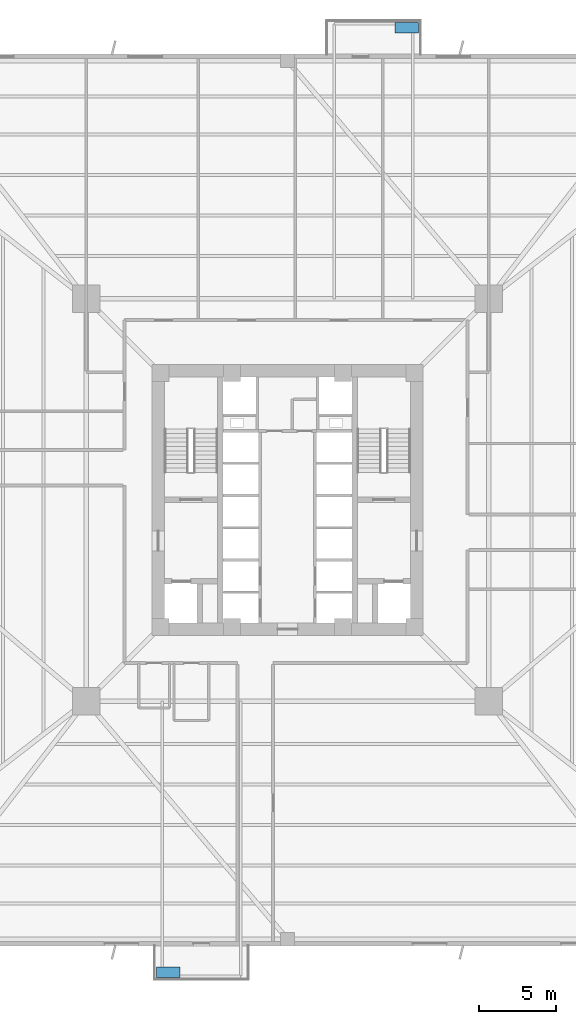
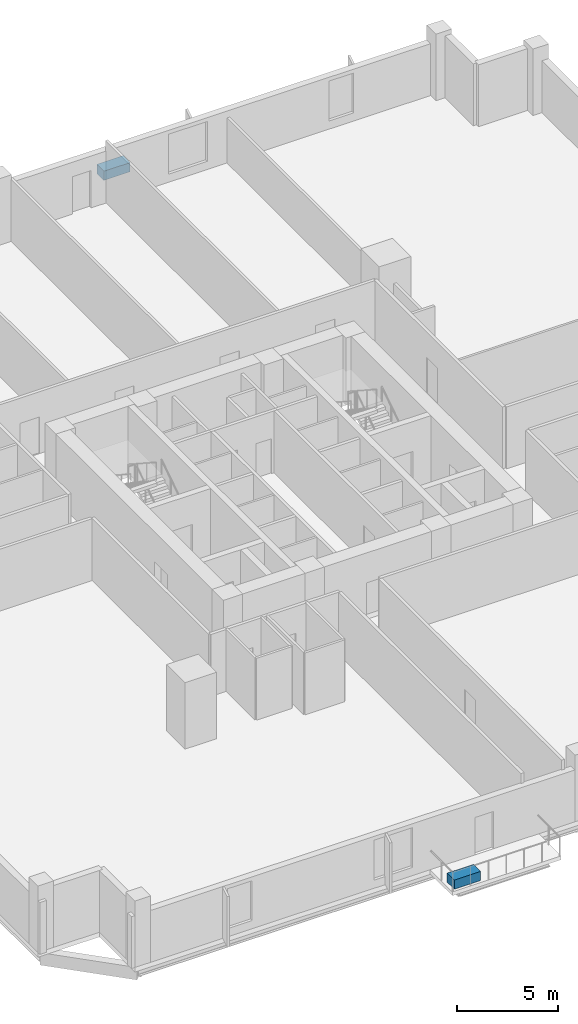
# One storey, part 5 of 8: 2 discrete accessories.
"""IFC4 building model written with IfcOpenShell, lengths in metres."""

import ifcopenshell
import ifcopenshell.guid

model = None  # the IFC model being written
_history = None  # IfcOwnerHistory: only IFC2X3 demands one
_inside = {}  # id of a spatial element -> (the spatial element, [elements in it])
_under = {}  # id of a project, library or spatial element -> (it, [spatial elements below it])
_declared = {}  # id of a project -> (the project, [libraries it declares])
_typed = {}  # id of a type object -> (the type object, [elements of that type])
_made_of = {}  # id of a material, layer set ... -> (it, [elements and type objects made of it])


def new_model(schema):
    """Start an empty IFC model of exactly this schema.

    Asked for "IFC4X3", IfcOpenShell would pick the latest addendum, in which some entities
    have other attributes; the version numbers below select the first issue.
    IFC2X3 requires an IfcOwnerHistory on every rooted entity: one is made here for all.
    """
    global model, _history
    if schema == "IFC4X3":
        model = ifcopenshell.file(schema_version=(4, 3, 0, 0))
    else:
        model = ifcopenshell.file(schema=schema)
    _inside.clear()
    _under.clear()
    _declared.clear()
    _typed.clear()
    _made_of.clear()
    _history = None
    if model.schema == "IFC2X3":
        org = make("IfcOrganization", Name="unknown")
        user = make(
            "IfcPersonAndOrganization",
            ThePerson=make("IfcPerson", FamilyName="unknown"),
            TheOrganization=org,
        )
        app = make(
            "IfcApplication",
            ApplicationDeveloper=org,
            Version="unknown",
            ApplicationFullName="unknown",
            ApplicationIdentifier="unknown",
        )
        _history = make(
            "IfcOwnerHistory",
            OwningUser=user,
            OwningApplication=app,
            ChangeAction="ADDED",
            CreationDate=0,
        )
    return model


def make(cls, **values):
    """One entity of the class cls with the attributes given. An attribute that is None is left unset."""
    return model.create_entity(
        cls, **{name: value for name, value in values.items() if value is not None}
    )


def rooted(cls, **values):
    """An entity with a GlobalId (a new one), such as an element, a storey or a relation."""
    return make(cls, GlobalId=ifcopenshell.guid.new(), OwnerHistory=_history, **values)


def si_unit(unit_type, name, prefix=None):
    """IfcSIUnit, for example si_unit("LENGTHUNIT", "METRE", prefix="MILLI")."""
    return make("IfcSIUnit", UnitType=unit_type, Prefix=prefix, Name=name)


def assignment(units):
    """IfcUnitAssignment: the units of a project."""
    return None if units is None else make("IfcUnitAssignment", Units=units)


def point(xyz):
    """IfcCartesianPoint."""
    return None if xyz is None else make("IfcCartesianPoint", Coordinates=xyz)


def direction(xyz):
    """IfcDirection."""
    return None if xyz is None else make("IfcDirection", DirectionRatios=xyz)


def frame(location, z_axis=None, x_axis=None):
    """IfcAxis2Placement3D, a coordinate frame: its origin and axes. An axis left out is left unset."""
    return make(
        "IfcAxis2Placement3D",
        Location=point(location),
        Axis=direction(z_axis),
        RefDirection=direction(x_axis),
    )


def frame_2d(location, x_axis=None):
    """IfcAxis2Placement2D, a coordinate frame in the plane: its origin and x axis."""
    return make(
        "IfcAxis2Placement2D", Location=point(location), RefDirection=direction(x_axis)
    )


def origin():
    """The frame at (0, 0, 0) with its axes left unset."""
    return frame((0.0, 0.0, 0.0))


def origin_2d():
    """The frame at (0, 0) in the plane with its x axis left unset."""
    return frame_2d((0.0, 0.0))


def place(relative_to, where):
    """IfcLocalPlacement: puts the frame where relative to a parent placement (None: the world)."""
    return make(
        "IfcLocalPlacement", PlacementRelTo=relative_to, RelativePlacement=where
    )


def context(
    kind, dimensions, precision=None, world=None, true_north=None, identifier=None
):
    """IfcGeometricRepresentationContext, for example the 3D "Model" context."""
    return make(
        "IfcGeometricRepresentationContext",
        ContextIdentifier=identifier,
        ContextType=kind,
        CoordinateSpaceDimension=dimensions,
        Precision=precision,
        WorldCoordinateSystem=world,
        TrueNorth=true_north,
    )


def subcontext(parent, identifier, kind, view, scale=None):
    """IfcGeometricRepresentationSubContext, for example "Body" below "Model"."""
    return make(
        "IfcGeometricRepresentationSubContext",
        ContextIdentifier=identifier,
        ContextType=kind,
        ParentContext=parent,
        TargetScale=scale,
        TargetView=view,
    )


def project(units=None, contexts=None):
    """IfcProject with its units and contexts."""
    return rooted(
        "IfcProject",
        Name="project",
        RepresentationContexts=contexts,
        UnitsInContext=assignment(units),
    )


def spatial(cls, under=None, at=None, **own):
    """A site, building, storey or space (cls), placed at a placement, below another one or the project."""
    s = rooted(cls, ObjectPlacement=at, **own)
    if under is not None:
        _under.setdefault(under.id(), (under, []))[1].append(s)
    return s


def profile(cls, at=None, kind="AREA", **sizes):
    """A parametric profile (cls). Its sizes go by their IFC names, for example OverallWidth=200.0."""
    return make(cls, ProfileType=kind, Position=at, **sizes)


def rectangle(**sizes):
    """IfcRectangleProfileDef."""
    return profile("IfcRectangleProfileDef", **sizes)


def extrude(swept, where, along, depth):
    """IfcExtrudedAreaSolid: the profile swept, set in the frame where, extruded along a direction by depth."""
    return make(
        "IfcExtrudedAreaSolid",
        SweptArea=swept,
        Position=where,
        ExtrudedDirection=direction(along),
        Depth=depth,
    )


def shape(context_of_items, identifier, shape_type, items):
    """IfcShapeRepresentation: the items that make up one representation, for example the "Body"."""
    return make(
        "IfcShapeRepresentation",
        ContextOfItems=context_of_items,
        RepresentationIdentifier=identifier,
        RepresentationType=shape_type,
        Items=items,
    )


def source(mapping_origin, context_of_items, identifier, shape_type, items):
    """IfcRepresentationMap: a shape defined once, which mapped items show again and again."""
    return make(
        "IfcRepresentationMap",
        MappingOrigin=mapping_origin,
        MappedRepresentation=shape(context_of_items, identifier, shape_type, items),
    )


def transform(
    local_origin,
    x_axis=None,
    y_axis=None,
    z_axis=None,
    scale=None,
    scale2=None,
    scale3=None,
    uniform=True,
):
    """IfcCartesianTransformationOperator3D, or its non-uniform kind. x_axis, y_axis, z_axis: its Axis1, 2, 3."""
    if uniform:
        return make(
            "IfcCartesianTransformationOperator3D",
            Axis1=direction(x_axis),
            Axis2=direction(y_axis),
            LocalOrigin=point(local_origin),
            Scale=scale,
            Axis3=direction(z_axis),
        )
    return make(
        "IfcCartesianTransformationOperator3DnonUniform",
        Axis1=direction(x_axis),
        Axis2=direction(y_axis),
        LocalOrigin=point(local_origin),
        Scale=scale,
        Axis3=direction(z_axis),
        Scale2=scale2,
        Scale3=scale3,
    )


def mapped(mapping_source, mapping_target):
    """IfcMappedItem: shows the shape of a source again, moved by a transform."""
    return make(
        "IfcMappedItem", MappingSource=mapping_source, MappingTarget=mapping_target
    )


def material(Name=None, Category=None):
    """IfcMaterial."""
    return make("IfcMaterial", Name=Name, Category=Category)


def made_of(thing, what):
    """Note that an element or type object is made of a material, layer set ...; save() writes the relation."""
    if what is not None:
        _made_of.setdefault(what.id(), (what, []))[1].append(thing)
    return thing


def type_object(cls, material=None, **own):
    """A type object (cls), such as IfcWallType, which elements share."""
    return made_of(rooted(cls, **own), material)


def element(
    cls,
    number,
    at=None,
    inside=None,
    cuts=None,
    type_object=None,
    material=None,
    context=None,
    identifier="Body",
    shape_type=None,
    held_by="IfcProductDefinitionShape",
    body=None,
    shapes=None,
    **own,
):
    """One element of the class cls, such as IfcWall. Its Tag is "e" and its number.

    at: its placement. inside: the storey or other place that contains it. cuts: it is an
    opening in that element (IfcRelVoidsElement). A single representation is given by context,
    identifier, shape_type and body (its items); several are given by shapes. held_by: the class
    of the entity that holds the representations. save() writes the other relations.
    """
    e = rooted(cls, Tag="e%d" % number, ObjectPlacement=at, **own)
    if body is not None:
        shapes = [shape(context, identifier, shape_type, body)]
    if shapes is not None:
        e.Representation = make(held_by, Representations=shapes)
    if inside is not None:
        _inside.setdefault(inside.id(), (inside, []))[1].append(e)
    if cuts is not None:
        rooted(
            "IfcRelVoidsElement", RelatingBuildingElement=cuts, RelatedOpeningElement=e
        )
    if type_object is not None:
        _typed.setdefault(type_object.id(), (type_object, []))[1].append(e)
    return made_of(e, material)


def aggregate(whole, parts):
    """IfcRelAggregates: a whole, such as a stair, and the parts it consists of."""
    return rooted("IfcRelAggregates", RelatingObject=whole, RelatedObjects=parts)


def save(model, path):
    """Write the relations noted so far, then the file.

    IfcRelAggregates (storeys below a building ...), IfcRelContainedInSpatialStructure (elements
    in a storey), IfcRelDefinesByType, IfcRelAssociatesMaterial and IfcRelDeclares: one each for
    every whole, place, type object, material and project.
    """
    for whole, parts in _under.values():
        aggregate(whole, parts)
    for where, things in _inside.values():
        rooted(
            "IfcRelContainedInSpatialStructure",
            RelatedElements=things,
            RelatingStructure=where,
        )
    for kind, things in _typed.values():
        rooted("IfcRelDefinesByType", RelatedObjects=things, RelatingType=kind)
    for what, things in _made_of.values():
        rooted("IfcRelAssociatesMaterial", RelatedObjects=things, RelatingMaterial=what)
    for by, libraries in _declared.values():
        rooted("IfcRelDeclares", RelatingContext=by, RelatedDefinitions=libraries)
    model.write(path)


model = new_model("IFC4")

# Units and contexts
model_context = context("Model", 3, precision=1e-05, world=origin(), true_north=direction((0.0, 1.0)))
body_context = subcontext(model_context, "Body", "Model", "MODEL_VIEW")
ifc_project = project(units=[si_unit("LENGTHUNIT", "METRE"), si_unit("AREAUNIT", "SQUARE_METRE"), si_unit("VOLUMEUNIT", "CUBIC_METRE"), si_unit("PLANEANGLEUNIT", "RADIAN"), si_unit("MASSUNIT", "GRAM", prefix="KILO"), si_unit("THERMODYNAMICTEMPERATUREUNIT", "KELVIN")], contexts=[model_context])

# Site, building, storey
site_placement = place(None, origin())
site = spatial("IfcSite", under=ifc_project, at=site_placement, CompositionType="ELEMENT")
building_placement = place(site_placement, origin())
building = spatial("IfcBuilding", under=site, at=building_placement, Name="Kosmvard Interchange Tower", CompositionType="ELEMENT")
storey_placement = place(building_placement, frame((0.0, 0.0, 42.0)))
storey = spatial("IfcBuildingStorey", under=building, at=storey_placement, Name="L09", CompositionType="ELEMENT", Elevation=42.0)

# Discrete accessories
ifc_material = material(Name="Terracotta precast planter concrete C45/55", Category="masonry")
discrete_accessory_type = type_object("IfcDiscreteAccessoryType", Name="Precast Tree-Balcony & Terrace Planter Box", PredefinedType="USERDEFINED", material=ifc_material)
shared_shape = source(origin(), body_context, "Body", "SweptSolid", [
    extrude(rectangle(XDim=1.5, YDim=0.699951171875, at=origin_2d()), origin(), (0.0, 0.0, 1.0), 0.550048828125),
])
for number, where, z_axis, x_axis, name in (
    (1, (-7.75, -30.699951171875, 0.0), (0.0, 0.0, 1.0), (1.0, 0.0, 0.0), "L09 Balcony Tree Planter BAL-L09-S"),
    (2, (7.75, 30.699951171875, 0.0), (0.0, 0.0, 1.0), (1.0, 0.0, 0.0), "L09 Balcony Tree Planter BAL-L09-N"),
):
    element("IfcDiscreteAccessory", number, at=place(storey_placement, frame(where, z_axis=z_axis, x_axis=x_axis)), inside=storey, type_object=discrete_accessory_type, Name=name, ObjectType="PLANTER", PredefinedType="USERDEFINED", context=body_context, shape_type="MappedRepresentation", body=[
        mapped(shared_shape, transform((0.0, 0.0, 0.0), scale=1.0)),
    ])

save(model, "model.ifc")
